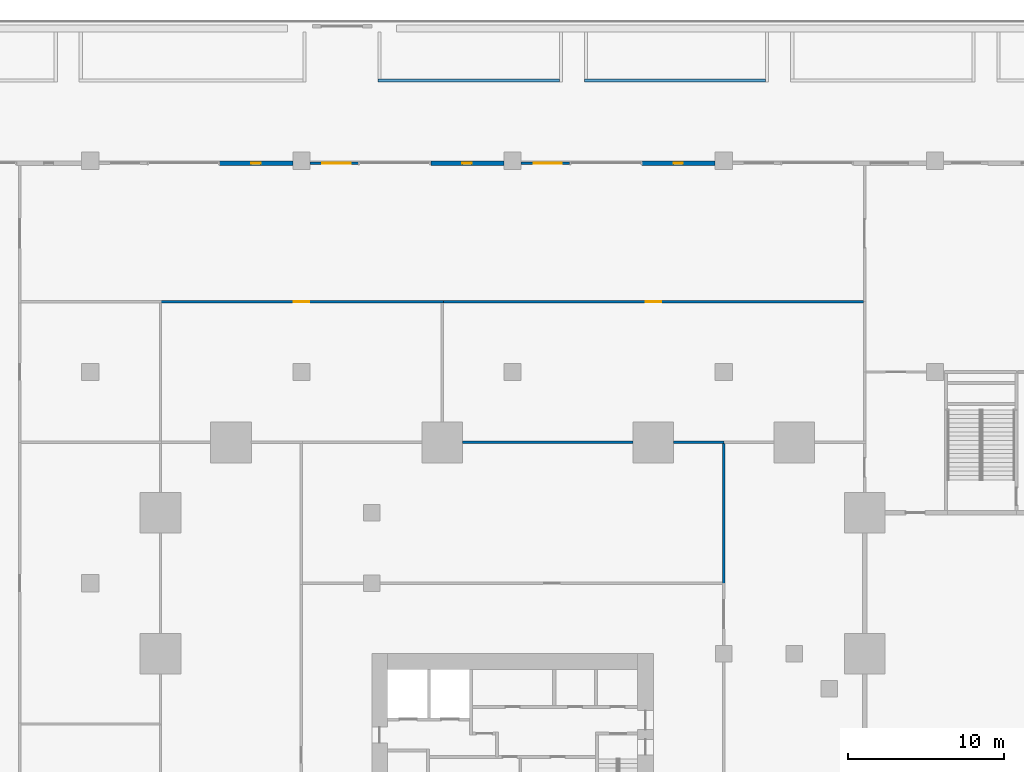
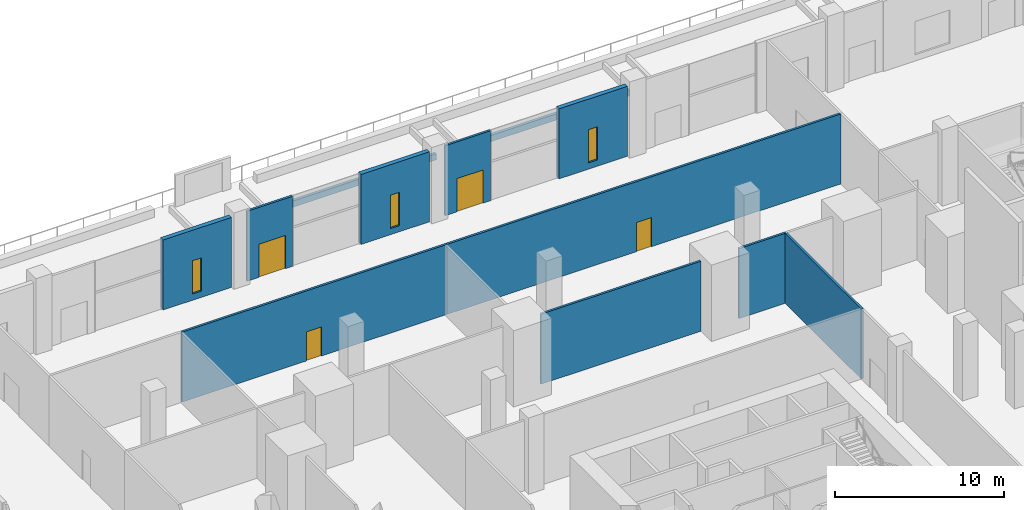
# One storey, part 33 of 47: 12 walls, 4 doors, 3 windows, 7 openings.
"""IFC4 building model written with IfcOpenShell, lengths in metres."""

import ifcopenshell
import ifcopenshell.guid

model = None  # the IFC model being written
_history = None  # IfcOwnerHistory: only IFC2X3 demands one
_inside = {}  # id of a spatial element -> (the spatial element, [elements in it])
_under = {}  # id of a project, library or spatial element -> (it, [spatial elements below it])
_declared = {}  # id of a project -> (the project, [libraries it declares])
_typed = {}  # id of a type object -> (the type object, [elements of that type])
_made_of = {}  # id of a material, layer set ... -> (it, [elements and type objects made of it])


def new_model(schema):
    """Start an empty IFC model of exactly this schema.

    Asked for "IFC4X3", IfcOpenShell would pick the latest addendum, in which some entities
    have other attributes; the version numbers below select the first issue.
    IFC2X3 requires an IfcOwnerHistory on every rooted entity: one is made here for all.
    """
    global model, _history
    if schema == "IFC4X3":
        model = ifcopenshell.file(schema_version=(4, 3, 0, 0))
    else:
        model = ifcopenshell.file(schema=schema)
    _inside.clear()
    _under.clear()
    _declared.clear()
    _typed.clear()
    _made_of.clear()
    _history = None
    if model.schema == "IFC2X3":
        org = make("IfcOrganization", Name="unknown")
        user = make(
            "IfcPersonAndOrganization",
            ThePerson=make("IfcPerson", FamilyName="unknown"),
            TheOrganization=org,
        )
        app = make(
            "IfcApplication",
            ApplicationDeveloper=org,
            Version="unknown",
            ApplicationFullName="unknown",
            ApplicationIdentifier="unknown",
        )
        _history = make(
            "IfcOwnerHistory",
            OwningUser=user,
            OwningApplication=app,
            ChangeAction="ADDED",
            CreationDate=0,
        )
    return model


def make(cls, **values):
    """One entity of the class cls with the attributes given. An attribute that is None is left unset."""
    return model.create_entity(
        cls, **{name: value for name, value in values.items() if value is not None}
    )


def rooted(cls, **values):
    """An entity with a GlobalId (a new one), such as an element, a storey or a relation."""
    return make(cls, GlobalId=ifcopenshell.guid.new(), OwnerHistory=_history, **values)


def si_unit(unit_type, name, prefix=None):
    """IfcSIUnit, for example si_unit("LENGTHUNIT", "METRE", prefix="MILLI")."""
    return make("IfcSIUnit", UnitType=unit_type, Prefix=prefix, Name=name)


def assignment(units):
    """IfcUnitAssignment: the units of a project."""
    return None if units is None else make("IfcUnitAssignment", Units=units)


def point(xyz):
    """IfcCartesianPoint."""
    return None if xyz is None else make("IfcCartesianPoint", Coordinates=xyz)


def direction(xyz):
    """IfcDirection."""
    return None if xyz is None else make("IfcDirection", DirectionRatios=xyz)


def frame(location, z_axis=None, x_axis=None):
    """IfcAxis2Placement3D, a coordinate frame: its origin and axes. An axis left out is left unset."""
    return make(
        "IfcAxis2Placement3D",
        Location=point(location),
        Axis=direction(z_axis),
        RefDirection=direction(x_axis),
    )


def frame_2d(location, x_axis=None):
    """IfcAxis2Placement2D, a coordinate frame in the plane: its origin and x axis."""
    return make(
        "IfcAxis2Placement2D", Location=point(location), RefDirection=direction(x_axis)
    )


def origin():
    """The frame at (0, 0, 0) with its axes left unset."""
    return frame((0.0, 0.0, 0.0))


def place(relative_to, where):
    """IfcLocalPlacement: puts the frame where relative to a parent placement (None: the world)."""
    return make(
        "IfcLocalPlacement", PlacementRelTo=relative_to, RelativePlacement=where
    )


def context(
    kind, dimensions, precision=None, world=None, true_north=None, identifier=None
):
    """IfcGeometricRepresentationContext, for example the 3D "Model" context."""
    return make(
        "IfcGeometricRepresentationContext",
        ContextIdentifier=identifier,
        ContextType=kind,
        CoordinateSpaceDimension=dimensions,
        Precision=precision,
        WorldCoordinateSystem=world,
        TrueNorth=true_north,
    )


def subcontext(parent, identifier, kind, view, scale=None):
    """IfcGeometricRepresentationSubContext, for example "Body" below "Model"."""
    return make(
        "IfcGeometricRepresentationSubContext",
        ContextIdentifier=identifier,
        ContextType=kind,
        ParentContext=parent,
        TargetScale=scale,
        TargetView=view,
    )


def project(units=None, contexts=None):
    """IfcProject with its units and contexts."""
    return rooted(
        "IfcProject",
        Name="project",
        RepresentationContexts=contexts,
        UnitsInContext=assignment(units),
    )


def spatial(cls, under=None, at=None, **own):
    """A site, building, storey or space (cls), placed at a placement, below another one or the project."""
    s = rooted(cls, ObjectPlacement=at, **own)
    if under is not None:
        _under.setdefault(under.id(), (under, []))[1].append(s)
    return s


def profile(cls, at=None, kind="AREA", **sizes):
    """A parametric profile (cls). Its sizes go by their IFC names, for example OverallWidth=200.0."""
    return make(cls, ProfileType=kind, Position=at, **sizes)


def rectangle(**sizes):
    """IfcRectangleProfileDef."""
    return profile("IfcRectangleProfileDef", **sizes)


def extrude(swept, where, along, depth):
    """IfcExtrudedAreaSolid: the profile swept, set in the frame where, extruded along a direction by depth."""
    return make(
        "IfcExtrudedAreaSolid",
        SweptArea=swept,
        Position=where,
        ExtrudedDirection=direction(along),
        Depth=depth,
    )


def shape(context_of_items, identifier, shape_type, items):
    """IfcShapeRepresentation: the items that make up one representation, for example the "Body"."""
    return make(
        "IfcShapeRepresentation",
        ContextOfItems=context_of_items,
        RepresentationIdentifier=identifier,
        RepresentationType=shape_type,
        Items=items,
    )


def material(Name=None, Category=None):
    """IfcMaterial."""
    return make("IfcMaterial", Name=Name, Category=Category)


def layer(
    of_material, thickness, ventilated=None, Name=None, Category=None, Priority=None
):
    """IfcMaterialLayer: one layer of a wall or slab, of a material (None: an air gap)."""
    return make(
        "IfcMaterialLayer",
        Material=of_material,
        LayerThickness=thickness,
        IsVentilated=ventilated,
        Name=Name,
        Category=Category,
        Priority=Priority,
    )


def layer_set(layers, Name=None):
    """IfcMaterialLayerSet."""
    return make("IfcMaterialLayerSet", MaterialLayers=layers, LayerSetName=Name)


def made_of(thing, what):
    """Note that an element or type object is made of a material, layer set ...; save() writes the relation."""
    if what is not None:
        _made_of.setdefault(what.id(), (what, []))[1].append(thing)
    return thing


def type_object(cls, material=None, **own):
    """A type object (cls), such as IfcWallType, which elements share."""
    return made_of(rooted(cls, **own), material)


def element(
    cls,
    number,
    at=None,
    inside=None,
    cuts=None,
    type_object=None,
    material=None,
    context=None,
    identifier="Body",
    shape_type=None,
    held_by="IfcProductDefinitionShape",
    body=None,
    shapes=None,
    **own,
):
    """One element of the class cls, such as IfcWall. Its Tag is "e" and its number.

    at: its placement. inside: the storey or other place that contains it. cuts: it is an
    opening in that element (IfcRelVoidsElement). A single representation is given by context,
    identifier, shape_type and body (its items); several are given by shapes. held_by: the class
    of the entity that holds the representations. save() writes the other relations.
    """
    e = rooted(cls, Tag="e%d" % number, ObjectPlacement=at, **own)
    if body is not None:
        shapes = [shape(context, identifier, shape_type, body)]
    if shapes is not None:
        e.Representation = make(held_by, Representations=shapes)
    if inside is not None:
        _inside.setdefault(inside.id(), (inside, []))[1].append(e)
    if cuts is not None:
        rooted(
            "IfcRelVoidsElement", RelatingBuildingElement=cuts, RelatedOpeningElement=e
        )
    if type_object is not None:
        _typed.setdefault(type_object.id(), (type_object, []))[1].append(e)
    return made_of(e, material)


def fill(opening, filler):
    """IfcRelFillsElement: the door or window that sits in an opening."""
    return rooted(
        "IfcRelFillsElement",
        RelatingOpeningElement=opening,
        RelatedBuildingElement=filler,
    )


def aggregate(whole, parts):
    """IfcRelAggregates: a whole, such as a stair, and the parts it consists of."""
    return rooted("IfcRelAggregates", RelatingObject=whole, RelatedObjects=parts)


def save(model, path):
    """Write the relations noted so far, then the file.

    IfcRelAggregates (storeys below a building ...), IfcRelContainedInSpatialStructure (elements
    in a storey), IfcRelDefinesByType, IfcRelAssociatesMaterial and IfcRelDeclares: one each for
    every whole, place, type object, material and project.
    """
    for whole, parts in _under.values():
        aggregate(whole, parts)
    for where, things in _inside.values():
        rooted(
            "IfcRelContainedInSpatialStructure",
            RelatedElements=things,
            RelatingStructure=where,
        )
    for kind, things in _typed.values():
        rooted("IfcRelDefinesByType", RelatedObjects=things, RelatingType=kind)
    for what, things in _made_of.values():
        rooted("IfcRelAssociatesMaterial", RelatedObjects=things, RelatingMaterial=what)
    for by, libraries in _declared.values():
        rooted("IfcRelDeclares", RelatingContext=by, RelatedDefinitions=libraries)
    model.write(path)


model = new_model("IFC4")

# Units and contexts
model_context = context("Model", 3, precision=1e-05, world=origin(), true_north=direction((0.0, 1.0)))
body_context = subcontext(model_context, "Body", "Model", "MODEL_VIEW")
ifc_project = project(units=[si_unit("LENGTHUNIT", "METRE"), si_unit("AREAUNIT", "SQUARE_METRE"), si_unit("VOLUMEUNIT", "CUBIC_METRE"), si_unit("PLANEANGLEUNIT", "RADIAN"), si_unit("MASSUNIT", "GRAM", prefix="KILO")], contexts=[model_context])

# Site, building, storey
site_placement = place(None, origin())
site = spatial("IfcSite", under=ifc_project, at=site_placement, CompositionType="ELEMENT")
building_placement = place(site_placement, origin())
building = spatial("IfcBuilding", under=site, at=building_placement, Name="Altepetl Exchange Towers", CompositionType="ELEMENT")
storey_placement = place(building_placement, frame((0.0, 0.0, 6.0)))
storey = spatial("IfcBuildingStorey", under=building, at=storey_placement, Name="L01 Retail podium", CompositionType="ELEMENT", Elevation=6.0)

# Wall, opening, door
ifc_material_1 = material(Name="Aluminium composite cladding", Category="aluminium")
ifc_layer_1 = layer(ifc_material_1, 0.14990234375)
ifc_layer_set_1 = layer_set([ifc_layer_1], Name="Aluminium composite cladding")
wall_type_1 = type_object("IfcWallType", Name="Infill wall 150 aluminium panel", PredefinedType="SOLIDWALL", material=ifc_layer_set_1)
wall_1_placement = place(storey_placement, frame((53.14990234375, 89.85009765625, 0.0), z_axis=(0.0, 0.0, 1.0), x_axis=(-1.0, 0.0, 0.0)))
wall_1 = element("IfcWall", 1, at=wall_1_placement, inside=storey, type_object=wall_type_1, Name="Door bay wall", PredefinedType="SOLIDWALL", context=body_context, shape_type="SweptSolid", body=[
    extrude(rectangle(XDim=3.099853515625, YDim=0.14990234375, at=frame_2d((1.5498046875, 0.0))), origin(), (0.0, 0.0, 1.0), 5.050048828125),
])
opening_1_placement = place(wall_1_placement, frame((0.5, 0.0, 0.0)))
opening_1 = element("IfcOpeningElement", 2, at=opening_1_placement, cuts=wall_1, Name="Opening L01.E17", PredefinedType="OPENING", context=body_context, shape_type="SweptSolid", body=[
    extrude(rectangle(XDim=1.800048828125, YDim=2.39990234375, at=frame_2d((0.89990234375, 1.199951171875))), frame((0.0, 0.0849609375, 0.0), z_axis=(0.0, -1.0, 0.0), x_axis=(1.0, 0.0, 0.0)), (0.0, 0.0, 1.0), 0.169921875),
])
ifc_material_2 = material(Name="Aluminium 6063-T6 and glass", Category="aluminium")
door_type_1 = type_object("IfcDoorType", Name="Glazed door pair 1800x2400", OperationType="DOUBLE_DOOR_DOUBLE_SWING", PredefinedType="NOTDEFINED", material=ifc_material_2)
door_1_placement = place(opening_1_placement, frame((1.800048828125, 0.0, 0.0), x_axis=(-1.0, 0.0, 0.0)))
door_1 = element("IfcDoor", 3, at=door_1_placement, inside=storey, type_object=door_type_1, Name="Terrace door", OperationType="DOUBLE_DOOR_DOUBLE_SWING", OverallHeight=2.39990234375, OverallWidth=1.800048828125, PredefinedType="NOTDEFINED", context=body_context, shape_type="SweptSolid", body=[
    extrude(rectangle(XDim=1.800048828125, YDim=2.39990234375, at=frame_2d((0.89990234375, 1.199951171875))), frame((0.0, 0.02490234375, 0.0), z_axis=(0.0, -1.0, 0.0), x_axis=(1.0, 0.0, 0.0)), (0.0, 0.0, 1.0), 0.050048828125),
])
fill(opening_1, door_1)

wall_2_placement = place(storey_placement, frame((39.64990234375, 89.85009765625, 0.0), z_axis=(0.0, 0.0, 1.0), x_axis=(-1.0, 0.0, 0.0)))
wall_2 = element("IfcWall", 4, at=wall_2_placement, inside=storey, type_object=wall_type_1, Name="Door bay wall", PredefinedType="SOLIDWALL", context=body_context, shape_type="SweptSolid", body=[
    extrude(rectangle(XDim=3.099853515625, YDim=0.14990234375, at=frame_2d((1.5498046875, 0.0))), origin(), (0.0, 0.0, 1.0), 5.050048828125),
])
opening_2_placement = place(wall_2_placement, frame((0.5, 0.0, 0.0)))
opening_2 = element("IfcOpeningElement", 5, at=opening_2_placement, cuts=wall_2, Name="Opening L01.E16", PredefinedType="OPENING", context=body_context, shape_type="SweptSolid", body=[
    extrude(rectangle(XDim=1.800048828125, YDim=2.39990234375, at=frame_2d((0.89990234375, 1.199951171875))), frame((0.0, 0.0849609375, 0.0), z_axis=(0.0, -1.0, 0.0), x_axis=(1.0, 0.0, 0.0)), (0.0, 0.0, 1.0), 0.169921875),
])
door_2_placement = place(opening_2_placement, frame((1.800048828125, 0.0, 0.0), x_axis=(-1.0, 0.0, 0.0)))
door_2 = element("IfcDoor", 6, at=door_2_placement, inside=storey, type_object=door_type_1, Name="Terrace door", OperationType="DOUBLE_DOOR_DOUBLE_SWING", OverallHeight=2.39990234375, OverallWidth=1.800048828125, PredefinedType="NOTDEFINED", context=body_context, shape_type="SweptSolid", body=[
    extrude(rectangle(XDim=1.800048828125, YDim=2.39990234375, at=frame_2d((0.89990234375, 1.199951171875))), frame((0.0, 0.02490234375, 0.0), z_axis=(0.0, -1.0, 0.0), x_axis=(1.0, 0.0, 0.0)), (0.0, 0.0, 1.0), 0.050048828125),
])
fill(opening_2, door_2)

# Walls
ifc_material_3 = material(Name="Reinforced concrete C35/45", Category="concrete")
ifc_layer_2 = layer(ifc_material_3, 0.199951171875)
ifc_layer_set_2 = layer_set([ifc_layer_2], Name="Reinforced concrete C35/45")
wall_type_2 = type_object("IfcWallType", Name="Planting bed curb 200", PredefinedType="SOLIDWALL", material=ifc_layer_set_2)
for number, where, name in (
    (7, (40.89990234375, 95.125, 0.0), "wall:P:L01:CB13s"),
    (8, (54.085693359375, 95.125, 0.0), "wall:P:L01:CB14s"),
):
    element("IfcWall", number, at=place(storey_placement, frame(where)), inside=storey, type_object=wall_type_2, Name=name, PredefinedType="SOLIDWALL", context=body_context, shape_type="SweptSolid", body=[
        extrude(rectangle(XDim=11.585693359375, YDim=0.199951171875, at=frame_2d((5.79296875, 0.0))), origin(), (0.0, 0.0, 1.0), 0.449951171875),
    ])

# Wall, opening, door
ifc_material_4 = material(Name="Gypsum board on steel studs", Category="steel")
ifc_layer_3 = layer(ifc_material_4, 0.14990234375)
ifc_layer_set_3 = layer_set([ifc_layer_3], Name="Gypsum board on steel studs")
wall_type_3 = type_object("IfcWallType", Name="Podium partition 150", PredefinedType="PARTITIONING", material=ifc_layer_set_3)
wall_3_placement = place(storey_placement, frame((27.0, 81.0, 0.0)))
wall_3 = element("IfcWall", 9, at=wall_3_placement, inside=storey, type_object=wall_type_3, Name="wall:P:L01:P051", PredefinedType="PARTITIONING", context=body_context, shape_type="SweptSolid", body=[
    extrude(rectangle(XDim=18.074951171875, YDim=0.14990234375, at=frame_2d((9.03759765625, 0.0))), origin(), (0.0, 0.0, 1.0), 5.050048828125),
])
opening_3_placement = place(wall_3_placement, frame((8.5, 0.0, 0.0)))
opening_3 = element("IfcOpeningElement", 10, at=opening_3_placement, cuts=wall_3, Name="Opening L01.P009", PredefinedType="OPENING", context=body_context, shape_type="SweptSolid", body=[
    extrude(rectangle(XDim=1.0, YDim=2.10009765625, at=frame_2d((0.5, 1.050048828125))), frame((0.0, 0.0849609375, 0.0), z_axis=(0.0, -1.0, 0.0), x_axis=(1.0, 0.0, 0.0)), (0.0, 0.0, 1.0), 0.169921875),
])
ifc_material_5 = material(Name="Steel and timber fire door", Category="steel")
door_type_2 = type_object("IfcDoorType", Name="Podium fire door 1000 x 2100 single leaf", OperationType="SINGLE_SWING_LEFT", PredefinedType="DOOR", material=ifc_material_5)
door_3_placement = place(opening_3_placement, frame((1.0, 0.0, 0.0), x_axis=(-1.0, 0.0, 0.0)))
door_3 = element("IfcDoor", 11, at=door_3_placement, inside=storey, type_object=door_type_2, Name="door:P:L01:009", OperationType="SINGLE_SWING_LEFT", OverallHeight=2.10009765625, OverallWidth=1.0, PredefinedType="DOOR", context=body_context, shape_type="SweptSolid", body=[
    extrude(rectangle(XDim=1.0, YDim=2.10009765625, at=frame_2d((0.5, 1.050048828125))), frame((0.0, 0.02490234375, 0.0), z_axis=(0.0, -1.0, 0.0), x_axis=(1.0, 0.0, 0.0)), (0.0, 0.0, 1.0), 0.050048828125),
])
fill(opening_3, door_3)

wall_4_placement = place(storey_placement, frame((45.0, 81.0, 0.0)))
wall_4 = element("IfcWall", 12, at=wall_4_placement, inside=storey, type_object=wall_type_3, Name="wall:P:L01:P052", PredefinedType="PARTITIONING", context=body_context, shape_type="SweptSolid", body=[
    extrude(rectangle(XDim=26.925048828125, YDim=0.14990234375, at=frame_2d((13.46240234375, 0.0))), origin(), (0.0, 0.0, 1.0), 5.050048828125),
])
opening_4_placement = place(wall_4_placement, frame((13.0, 0.0, 0.0)))
opening_4 = element("IfcOpeningElement", 13, at=opening_4_placement, cuts=wall_4, Name="Opening L01.P010", PredefinedType="OPENING", context=body_context, shape_type="SweptSolid", body=[
    extrude(rectangle(XDim=1.0, YDim=2.10009765625, at=frame_2d((0.5, 1.050048828125))), frame((0.0, 0.0849609375, 0.0), z_axis=(0.0, -1.0, 0.0), x_axis=(1.0, 0.0, 0.0)), (0.0, 0.0, 1.0), 0.169921875),
])
door_4_placement = place(opening_4_placement, frame((1.0, 0.0, 0.0), x_axis=(-1.0, 0.0, 0.0)))
door_4 = element("IfcDoor", 14, at=door_4_placement, inside=storey, type_object=door_type_2, Name="door:P:L01:010", OperationType="SINGLE_SWING_LEFT", OverallHeight=2.10009765625, OverallWidth=1.0, PredefinedType="DOOR", context=body_context, shape_type="SweptSolid", body=[
    extrude(rectangle(XDim=1.0, YDim=2.10009765625, at=frame_2d((0.5, 1.050048828125))), frame((0.0, 0.02490234375, 0.0), z_axis=(0.0, -1.0, 0.0), x_axis=(1.0, 0.0, 0.0)), (0.0, 0.0, 1.0), 0.050048828125),
])
fill(opening_4, door_4)

# Walls
wall_5_placement = place(storey_placement, frame((46.294921875, 72.0, 0.0)))
element("IfcWall", 15, at=wall_5_placement, inside=storey, type_object=wall_type_3, Name="wall:P:L01:P106", PredefinedType="PARTITIONING", context=body_context, shape_type="SweptSolid", body=[
    extrude(rectangle(XDim=10.91015625, YDim=0.14990234375, at=frame_2d((5.455078125, 0.0))), origin(), (0.0, 0.0, 1.0), 5.050048828125),
])
wall_6_placement = place(storey_placement, frame((59.794921875, 72.0, 0.0)))
element("IfcWall", 16, at=wall_6_placement, inside=storey, type_object=wall_type_3, Name="wall:P:L01:P107", PredefinedType="PARTITIONING", context=body_context, shape_type="SweptSolid", body=[
    extrude(rectangle(XDim=3.205078125, YDim=0.14990234375, at=frame_2d((1.6025390625, 0.0))), origin(), (0.0, 0.0, 1.0), 5.050048828125),
])
wall_7_placement = place(storey_placement, frame((63.0, 62.925048828125, 0.0), z_axis=(0.0, 0.0, 1.0), x_axis=(0.0, 1.0, 0.0)))
element("IfcWall", 17, at=wall_7_placement, inside=storey, type_object=wall_type_3, Name="wall:P:L01:P110", PredefinedType="PARTITIONING", context=body_context, shape_type="SweptSolid", body=[
    extrude(rectangle(XDim=9.0, YDim=0.14990234375, at=frame_2d((4.5, 0.0))), origin(), (0.0, 0.0, 1.0), 5.050048828125),
])

# Wall, opening, window
ifc_material_6 = material(Name="Cantera limestone cladding", Category="masonry")
ifc_layer_4 = layer(ifc_material_6, 0.300048828125)
ifc_layer_set_4 = layer_set([ifc_layer_4], Name="Cantera limestone cladding")
wall_type_4 = type_object("IfcWallType", Name="Stone wall panel 300", PredefinedType="ELEMENTEDWALL", material=ifc_layer_set_4)
wall_8_placement = place(storey_placement, frame((62.449951171875, 89.85009765625, 0.0), z_axis=(0.0, 0.0, 1.0), x_axis=(-1.0, 0.0, 0.0)))
wall_8 = element("IfcWall", 18, at=wall_8_placement, inside=storey, type_object=wall_type_4, Name="Stone wall panel", PredefinedType="ELEMENTEDWALL", context=body_context, shape_type="SweptSolid", body=[
    extrude(rectangle(XDim=4.675048828125, YDim=0.300048828125, at=frame_2d((2.33740234375, 0.0))), origin(), (0.0, 0.0, 1.0), 5.050048828125),
])
opening_5_placement = place(wall_8_placement, frame((2.0625, 0.0, 0.449951171875)))
opening_5 = element("IfcOpeningElement", 19, at=opening_5_placement, cuts=wall_8, Name="Opening W3", PredefinedType="OPENING", context=body_context, shape_type="SweptSolid", body=[
    extrude(rectangle(XDim=0.60009765625, YDim=2.39990234375, at=frame_2d((0.300048828125, 1.199951171875))), frame((0.0, 0.16015625, 0.0), z_axis=(0.0, -1.0, 0.0), x_axis=(1.0, 0.0, 0.0)), (0.0, 0.0, 1.0), 0.320068359375),
])
window_type = type_object("IfcWindowType", Name="Tall slot window 600x2400", PartitioningType="SINGLE_PANEL", PredefinedType="WINDOW", material=ifc_material_2)
window_1_placement = place(opening_5_placement, origin())
window_1 = element("IfcWindow", 20, at=window_1_placement, inside=storey, type_object=window_type, Name="Window", OverallHeight=2.39990234375, OverallWidth=0.60009765625, PartitioningType="SINGLE_PANEL", PredefinedType="WINDOW", context=body_context, shape_type="SweptSolid", body=[
    extrude(rectangle(XDim=0.60009765625, YDim=2.39990234375, at=frame_2d((0.300048828125, 1.199951171875))), frame((0.0, 0.030029296875, 0.0), z_axis=(0.0, -1.0, 0.0), x_axis=(1.0, 0.0, 0.0)), (0.0, 0.0, 1.0), 0.06005859375),
])
fill(opening_5, window_1)

wall_9_placement = place(storey_placement, frame((48.949951171875, 89.85009765625, 0.0), z_axis=(0.0, 0.0, 1.0), x_axis=(-1.0, 0.0, 0.0)))
wall_9 = element("IfcWall", 21, at=wall_9_placement, inside=storey, type_object=wall_type_4, Name="Stone wall panel", PredefinedType="ELEMENTEDWALL", context=body_context, shape_type="SweptSolid", body=[
    extrude(rectangle(XDim=4.675048828125, YDim=0.300048828125, at=frame_2d((2.33740234375, 0.0))), origin(), (0.0, 0.0, 1.0), 5.050048828125),
])
opening_6_placement = place(wall_9_placement, frame((2.0625, 0.0, 0.449951171875)))
opening_6 = element("IfcOpeningElement", 22, at=opening_6_placement, cuts=wall_9, Name="Opening W3", PredefinedType="OPENING", context=body_context, shape_type="SweptSolid", body=[
    extrude(rectangle(XDim=0.60009765625, YDim=2.39990234375, at=frame_2d((0.300048828125, 1.199951171875))), frame((0.0, 0.16015625, 0.0), z_axis=(0.0, -1.0, 0.0), x_axis=(1.0, 0.0, 0.0)), (0.0, 0.0, 1.0), 0.320068359375),
])
window_2_placement = place(opening_6_placement, origin())
window_2 = element("IfcWindow", 23, at=window_2_placement, inside=storey, type_object=window_type, Name="Window", OverallHeight=2.39990234375, OverallWidth=0.60009765625, PartitioningType="SINGLE_PANEL", PredefinedType="WINDOW", context=body_context, shape_type="SweptSolid", body=[
    extrude(rectangle(XDim=0.60009765625, YDim=2.39990234375, at=frame_2d((0.300048828125, 1.199951171875))), frame((0.0, 0.030029296875, 0.0), z_axis=(0.0, -1.0, 0.0), x_axis=(1.0, 0.0, 0.0)), (0.0, 0.0, 1.0), 0.06005859375),
])
fill(opening_6, window_2)

wall_10_placement = place(storey_placement, frame((35.449951171875, 89.85009765625, 0.0), z_axis=(0.0, 0.0, 1.0), x_axis=(-1.0, 0.0, 0.0)))
wall_10 = element("IfcWall", 24, at=wall_10_placement, inside=storey, type_object=wall_type_4, Name="Stone wall panel", PredefinedType="ELEMENTEDWALL", context=body_context, shape_type="SweptSolid", body=[
    extrude(rectangle(XDim=4.675048828125, YDim=0.300048828125, at=frame_2d((2.33740234375, 0.0))), origin(), (0.0, 0.0, 1.0), 5.050048828125),
])
opening_7_placement = place(wall_10_placement, frame((2.0625, 0.0, 0.449951171875)))
opening_7 = element("IfcOpeningElement", 25, at=opening_7_placement, cuts=wall_10, Name="Opening W3", PredefinedType="OPENING", context=body_context, shape_type="SweptSolid", body=[
    extrude(rectangle(XDim=0.60009765625, YDim=2.39990234375, at=frame_2d((0.300048828125, 1.199951171875))), frame((0.0, 0.16015625, 0.0), z_axis=(0.0, -1.0, 0.0), x_axis=(1.0, 0.0, 0.0)), (0.0, 0.0, 1.0), 0.320068359375),
])
window_3_placement = place(opening_7_placement, origin())
window_3 = element("IfcWindow", 26, at=window_3_placement, inside=storey, type_object=window_type, Name="Window", OverallHeight=2.39990234375, OverallWidth=0.60009765625, PartitioningType="SINGLE_PANEL", PredefinedType="WINDOW", context=body_context, shape_type="SweptSolid", body=[
    extrude(rectangle(XDim=0.60009765625, YDim=2.39990234375, at=frame_2d((0.300048828125, 1.199951171875))), frame((0.0, 0.030029296875, 0.0), z_axis=(0.0, -1.0, 0.0), x_axis=(1.0, 0.0, 0.0)), (0.0, 0.0, 1.0), 0.06005859375),
])
fill(opening_7, window_3)

save(model, "model.ifc")
